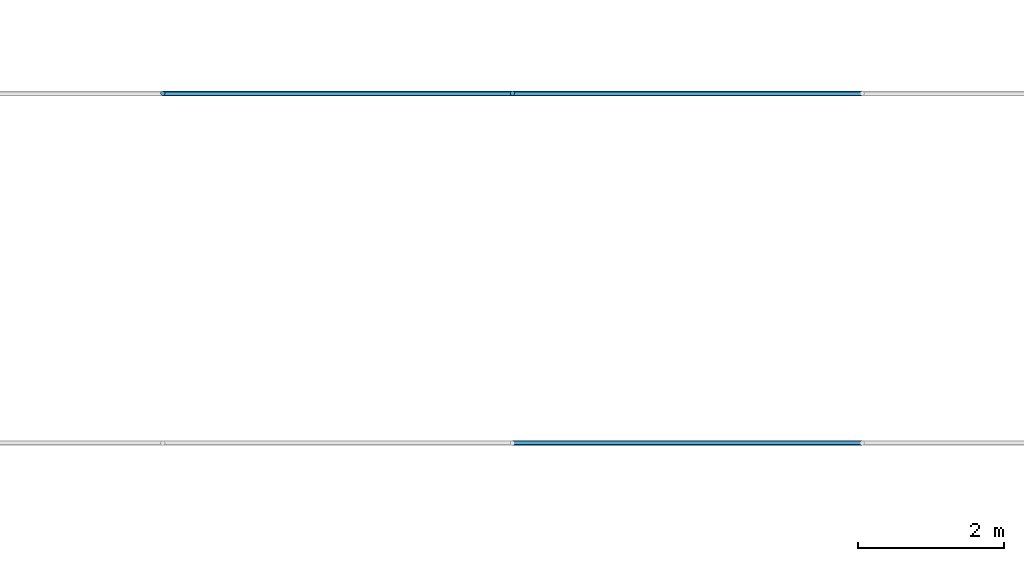
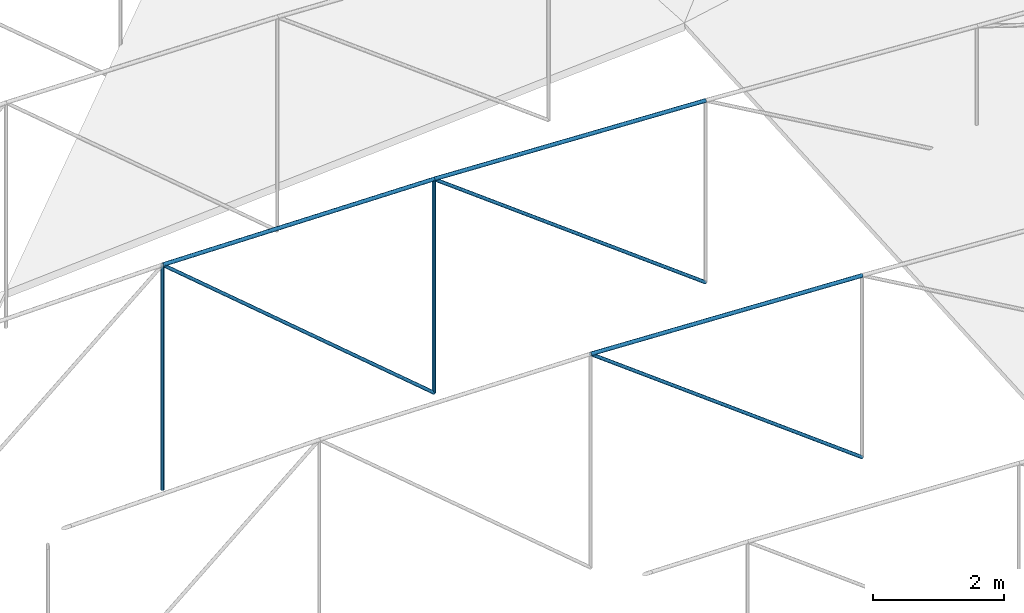
# One storey, part 19 of 50: 8 members.
"""IFC4 building model written with IfcOpenShell, lengths in metres."""

import ifcopenshell
import ifcopenshell.guid

model = None  # the IFC model being written
_history = None  # IfcOwnerHistory: only IFC2X3 demands one
_inside = {}  # id of a spatial element -> (the spatial element, [elements in it])
_under = {}  # id of a project, library or spatial element -> (it, [spatial elements below it])
_declared = {}  # id of a project -> (the project, [libraries it declares])
_typed = {}  # id of a type object -> (the type object, [elements of that type])
_made_of = {}  # id of a material, layer set ... -> (it, [elements and type objects made of it])


def new_model(schema):
    """Start an empty IFC model of exactly this schema.

    Asked for "IFC4X3", IfcOpenShell would pick the latest addendum, in which some entities
    have other attributes; the version numbers below select the first issue.
    IFC2X3 requires an IfcOwnerHistory on every rooted entity: one is made here for all.
    """
    global model, _history
    if schema == "IFC4X3":
        model = ifcopenshell.file(schema_version=(4, 3, 0, 0))
    else:
        model = ifcopenshell.file(schema=schema)
    _inside.clear()
    _under.clear()
    _declared.clear()
    _typed.clear()
    _made_of.clear()
    _history = None
    if model.schema == "IFC2X3":
        org = make("IfcOrganization", Name="unknown")
        user = make(
            "IfcPersonAndOrganization",
            ThePerson=make("IfcPerson", FamilyName="unknown"),
            TheOrganization=org,
        )
        app = make(
            "IfcApplication",
            ApplicationDeveloper=org,
            Version="unknown",
            ApplicationFullName="unknown",
            ApplicationIdentifier="unknown",
        )
        _history = make(
            "IfcOwnerHistory",
            OwningUser=user,
            OwningApplication=app,
            ChangeAction="ADDED",
            CreationDate=0,
        )
    return model


def make(cls, **values):
    """One entity of the class cls with the attributes given. An attribute that is None is left unset."""
    return model.create_entity(
        cls, **{name: value for name, value in values.items() if value is not None}
    )


def rooted(cls, **values):
    """An entity with a GlobalId (a new one), such as an element, a storey or a relation."""
    return make(cls, GlobalId=ifcopenshell.guid.new(), OwnerHistory=_history, **values)


def si_unit(unit_type, name, prefix=None):
    """IfcSIUnit, for example si_unit("LENGTHUNIT", "METRE", prefix="MILLI")."""
    return make("IfcSIUnit", UnitType=unit_type, Prefix=prefix, Name=name)


def assignment(units):
    """IfcUnitAssignment: the units of a project."""
    return None if units is None else make("IfcUnitAssignment", Units=units)


def point(xyz):
    """IfcCartesianPoint."""
    return None if xyz is None else make("IfcCartesianPoint", Coordinates=xyz)


def direction(xyz):
    """IfcDirection."""
    return None if xyz is None else make("IfcDirection", DirectionRatios=xyz)


def frame(location, z_axis=None, x_axis=None):
    """IfcAxis2Placement3D, a coordinate frame: its origin and axes. An axis left out is left unset."""
    return make(
        "IfcAxis2Placement3D",
        Location=point(location),
        Axis=direction(z_axis),
        RefDirection=direction(x_axis),
    )


def frame_2d(location, x_axis=None):
    """IfcAxis2Placement2D, a coordinate frame in the plane: its origin and x axis."""
    return make(
        "IfcAxis2Placement2D", Location=point(location), RefDirection=direction(x_axis)
    )


def origin():
    """The frame at (0, 0, 0) with its axes left unset."""
    return frame((0.0, 0.0, 0.0))


def origin_2d():
    """The frame at (0, 0) in the plane with its x axis left unset."""
    return frame_2d((0.0, 0.0))


def place(relative_to, where):
    """IfcLocalPlacement: puts the frame where relative to a parent placement (None: the world)."""
    return make(
        "IfcLocalPlacement", PlacementRelTo=relative_to, RelativePlacement=where
    )


def context(
    kind, dimensions, precision=None, world=None, true_north=None, identifier=None
):
    """IfcGeometricRepresentationContext, for example the 3D "Model" context."""
    return make(
        "IfcGeometricRepresentationContext",
        ContextIdentifier=identifier,
        ContextType=kind,
        CoordinateSpaceDimension=dimensions,
        Precision=precision,
        WorldCoordinateSystem=world,
        TrueNorth=true_north,
    )


def subcontext(parent, identifier, kind, view, scale=None):
    """IfcGeometricRepresentationSubContext, for example "Body" below "Model"."""
    return make(
        "IfcGeometricRepresentationSubContext",
        ContextIdentifier=identifier,
        ContextType=kind,
        ParentContext=parent,
        TargetScale=scale,
        TargetView=view,
    )


def project(units=None, contexts=None):
    """IfcProject with its units and contexts."""
    return rooted(
        "IfcProject",
        Name="project",
        RepresentationContexts=contexts,
        UnitsInContext=assignment(units),
    )


def spatial(cls, under=None, at=None, **own):
    """A site, building, storey or space (cls), placed at a placement, below another one or the project."""
    s = rooted(cls, ObjectPlacement=at, **own)
    if under is not None:
        _under.setdefault(under.id(), (under, []))[1].append(s)
    return s


def profile(cls, at=None, kind="AREA", **sizes):
    """A parametric profile (cls). Its sizes go by their IFC names, for example OverallWidth=200.0."""
    return make(cls, ProfileType=kind, Position=at, **sizes)


def circle(**sizes):
    """IfcCircleProfileDef."""
    return profile("IfcCircleProfileDef", **sizes)


def extrude(swept, where, along, depth):
    """IfcExtrudedAreaSolid: the profile swept, set in the frame where, extruded along a direction by depth."""
    return make(
        "IfcExtrudedAreaSolid",
        SweptArea=swept,
        Position=where,
        ExtrudedDirection=direction(along),
        Depth=depth,
    )


def shape(context_of_items, identifier, shape_type, items):
    """IfcShapeRepresentation: the items that make up one representation, for example the "Body"."""
    return make(
        "IfcShapeRepresentation",
        ContextOfItems=context_of_items,
        RepresentationIdentifier=identifier,
        RepresentationType=shape_type,
        Items=items,
    )


def material(Name=None, Category=None):
    """IfcMaterial."""
    return make("IfcMaterial", Name=Name, Category=Category)


def material_profile(
    of_material, cross_section, Name=None, Category=None, Priority=None
):
    """IfcMaterialProfile: a cross section and its material."""
    return make(
        "IfcMaterialProfile",
        Name=Name,
        Material=of_material,
        Profile=cross_section,
        Priority=Priority,
        Category=Category,
    )


def profile_set(profiles, Name=None, composite=None):
    """IfcMaterialProfileSet."""
    return make(
        "IfcMaterialProfileSet",
        Name=Name,
        MaterialProfiles=profiles,
        CompositeProfile=composite,
    )


def made_of(thing, what):
    """Note that an element or type object is made of a material, layer set ...; save() writes the relation."""
    if what is not None:
        _made_of.setdefault(what.id(), (what, []))[1].append(thing)
    return thing


def type_object(cls, material=None, **own):
    """A type object (cls), such as IfcWallType, which elements share."""
    return made_of(rooted(cls, **own), material)


def element(
    cls,
    number,
    at=None,
    inside=None,
    cuts=None,
    type_object=None,
    material=None,
    context=None,
    identifier="Body",
    shape_type=None,
    held_by="IfcProductDefinitionShape",
    body=None,
    shapes=None,
    **own,
):
    """One element of the class cls, such as IfcWall. Its Tag is "e" and its number.

    at: its placement. inside: the storey or other place that contains it. cuts: it is an
    opening in that element (IfcRelVoidsElement). A single representation is given by context,
    identifier, shape_type and body (its items); several are given by shapes. held_by: the class
    of the entity that holds the representations. save() writes the other relations.
    """
    e = rooted(cls, Tag="e%d" % number, ObjectPlacement=at, **own)
    if body is not None:
        shapes = [shape(context, identifier, shape_type, body)]
    if shapes is not None:
        e.Representation = make(held_by, Representations=shapes)
    if inside is not None:
        _inside.setdefault(inside.id(), (inside, []))[1].append(e)
    if cuts is not None:
        rooted(
            "IfcRelVoidsElement", RelatingBuildingElement=cuts, RelatedOpeningElement=e
        )
    if type_object is not None:
        _typed.setdefault(type_object.id(), (type_object, []))[1].append(e)
    return made_of(e, material)


def aggregate(whole, parts):
    """IfcRelAggregates: a whole, such as a stair, and the parts it consists of."""
    return rooted("IfcRelAggregates", RelatingObject=whole, RelatedObjects=parts)


def save(model, path):
    """Write the relations noted so far, then the file.

    IfcRelAggregates (storeys below a building ...), IfcRelContainedInSpatialStructure (elements
    in a storey), IfcRelDefinesByType, IfcRelAssociatesMaterial and IfcRelDeclares: one each for
    every whole, place, type object, material and project.
    """
    for whole, parts in _under.values():
        aggregate(whole, parts)
    for where, things in _inside.values():
        rooted(
            "IfcRelContainedInSpatialStructure",
            RelatedElements=things,
            RelatingStructure=where,
        )
    for kind, things in _typed.values():
        rooted("IfcRelDefinesByType", RelatedObjects=things, RelatingType=kind)
    for what, things in _made_of.values():
        rooted("IfcRelAssociatesMaterial", RelatedObjects=things, RelatingMaterial=what)
    for by, libraries in _declared.values():
        rooted("IfcRelDeclares", RelatingContext=by, RelatedDefinitions=libraries)
    model.write(path)


model = new_model("IFC4")

# Units and contexts
model_context = context("Model", 3, precision=1e-05, world=origin(), true_north=direction((0.0, 1.0)))
body_context = subcontext(model_context, "Body", "Model", "MODEL_VIEW")
ifc_project = project(units=[si_unit("LENGTHUNIT", "METRE"), si_unit("AREAUNIT", "SQUARE_METRE"), si_unit("VOLUMEUNIT", "CUBIC_METRE"), si_unit("PLANEANGLEUNIT", "RADIAN"), si_unit("MASSUNIT", "GRAM", prefix="KILO")], contexts=[model_context])

# Site, building, storey
site_placement = place(None, origin())
site = spatial("IfcSite", under=ifc_project, at=site_placement, CompositionType="ELEMENT")
building_placement = place(site_placement, origin())
building = spatial("IfcBuilding", under=site, at=building_placement, Name="Zevrakil Square Congress Hotel", CompositionType="ELEMENT")
storey_placement = place(building_placement, frame((0.0, 0.0, 21.5)))
storey = spatial("IfcBuildingStorey", under=building, at=storey_placement, Name="L06", CompositionType="ELEMENT", Elevation=21.5)

# Members
ifc_material_1 = material(Name="Steel S355", Category="steel")
ifc_material_profile_1 = material_profile(ifc_material_1, circle(Radius=0.030029296875, at=origin_2d()), Name="CABLE RD60")
ifc_profile_set_1 = profile_set([ifc_material_profile_1], Name="Steel S355")
member_type_1 = type_object("IfcMemberType", Name="MEM-CABLE-RD60", PredefinedType="USERDEFINED", material=ifc_profile_set_1)
member_1_placement = place(storey_placement, frame((151.199951171875, 79.199951171875, -0.91796875), z_axis=(-0.799174909116, 0.0, 0.601098548192), x_axis=(0.0, -1.0, 0.0)))
element("IfcMember", 1, at=member_1_placement, inside=storey, type_object=member_type_1, Name="Congress cable-truss web diagonal CBD-03-7", ObjectType="ROOF CABLE", PredefinedType="USERDEFINED", context=body_context, shape_type="SweptSolid", body=[
    extrude(circle(Radius=0.030029296875, at=origin_2d()), origin(), (0.0, 0.0, 1.0), 6.00634765625),
])
member_2_placement = place(storey_placement, frame((141.60009765625, 84.0, -1.070068359375), z_axis=(0.0, 0.0, 1.0), x_axis=(1.0, 0.0, 0.0)))
element("IfcMember", 2, at=member_2_placement, inside=storey, type_object=member_type_1, Name="Congress cable-truss vertical tie CBW-04-5", ObjectType="ROOF CABLE", PredefinedType="USERDEFINED", context=body_context, shape_type="SweptSolid", body=[
    extrude(circle(Radius=0.030029296875, at=origin_2d()), origin(), (0.0, 0.0, 1.0), 4.199951171875),
])
member_3_placement = place(storey_placement, frame((146.39990234375, 84.0, -0.94189453125), z_axis=(-0.762570596192, 0.0, 0.646905005254), x_axis=(0.0, -1.0, 0.0)))
element("IfcMember", 3, at=member_3_placement, inside=storey, type_object=member_type_1, Name="Congress cable-truss web diagonal CBD-04-6", ObjectType="ROOF CABLE", PredefinedType="USERDEFINED", context=body_context, shape_type="SweptSolid", body=[
    extrude(circle(Radius=0.030029296875, at=origin_2d()), origin(), (0.0, 0.0, 1.0), 6.294189453125),
])
member_4_placement = place(storey_placement, frame((146.39990234375, 84.0, -0.94189453125), z_axis=(0.0, 0.0, 1.0), x_axis=(1.0, 0.0, 0.0)))
element("IfcMember", 4, at=member_4_placement, inside=storey, type_object=member_type_1, Name="Congress cable-truss vertical tie CBW-04-6", ObjectType="ROOF CABLE", PredefinedType="USERDEFINED", context=body_context, shape_type="SweptSolid", body=[
    extrude(circle(Radius=0.030029296875, at=origin_2d()), origin(), (0.0, 0.0, 1.0), 3.994384765625),
])
member_5_placement = place(storey_placement, frame((151.199951171875, 84.0, -0.55810546875), z_axis=(-0.799155382701, 0.0, 0.601124508151), x_axis=(0.0, -1.0, 0.0)))
element("IfcMember", 5, at=member_5_placement, inside=storey, type_object=member_type_1, Name="Congress cable-truss web diagonal CBD-04-7", ObjectType="ROOF CABLE", PredefinedType="USERDEFINED", context=body_context, shape_type="SweptSolid", body=[
    extrude(circle(Radius=0.030029296875, at=origin_2d()), origin(), (0.0, 0.0, 1.0), 6.00634765625),
])
ifc_material_2 = material(Name="Steel S355", Category="steel")
ifc_material_profile_2 = material_profile(ifc_material_2, circle(Radius=0.033935546875, at=origin_2d()), Name="CABLE RD68")
ifc_profile_set_2 = profile_set([ifc_material_profile_2], Name="Steel S355")
member_type_2 = type_object("IfcMemberType", Name="MEM-CABLE-RD68", PredefinedType="USERDEFINED", material=ifc_profile_set_2)
member_6_placement = place(storey_placement, frame((146.39990234375, 79.199951171875, 2.6923828125), z_axis=(0.999022402478, 0.0, -0.044206779419), x_axis=(0.0, 1.0, 0.0)))
element("IfcMember", 6, at=member_6_placement, inside=storey, type_object=member_type_2, Name="Congress lenticular upper cable chord CBU-03 seg 7", ObjectType="ROOF CABLE", PredefinedType="USERDEFINED", context=body_context, shape_type="SweptSolid", body=[
    extrude(circle(Radius=0.033935546875, at=origin_2d()), origin(), (0.0, 0.0, 1.0), 4.8046875),
])
member_7_placement = place(storey_placement, frame((141.60009765625, 84.0, 3.1298828125), z_axis=(0.999870031882, 0.0, -0.016122014248), x_axis=(0.0, 1.0, 0.0)))
element("IfcMember", 7, at=member_7_placement, inside=storey, type_object=member_type_2, Name="Congress lenticular upper cable chord CBU-04 seg 6", ObjectType="ROOF CABLE", PredefinedType="USERDEFINED", context=body_context, shape_type="SweptSolid", body=[
    extrude(circle(Radius=0.033935546875, at=origin_2d()), origin(), (0.0, 0.0, 1.0), 4.800537109375),
])
member_8_placement = place(storey_placement, frame((146.39990234375, 84.0, 3.052490234375), z_axis=(0.99902015714, 0.0, -0.044257492339), x_axis=(0.0, 1.0, 0.0)))
element("IfcMember", 8, at=member_8_placement, inside=storey, type_object=member_type_2, Name="Congress lenticular upper cable chord CBU-04 seg 7", ObjectType="ROOF CABLE", PredefinedType="USERDEFINED", context=body_context, shape_type="SweptSolid", body=[
    extrude(circle(Radius=0.033935546875, at=origin_2d()), origin(), (0.0, 0.0, 1.0), 4.8046875),
])

save(model, "model.ifc")
